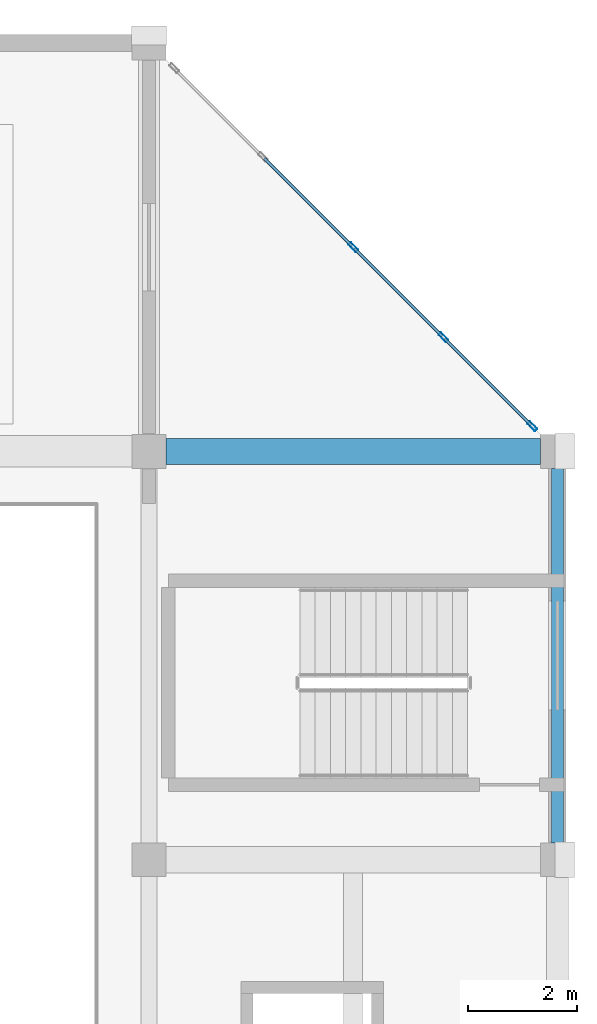
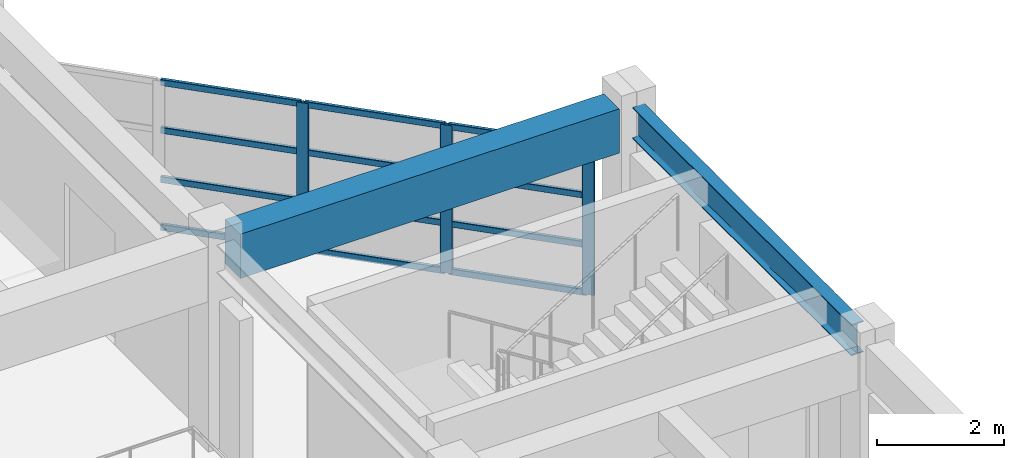
# One storey, part 72 of 132: 15 members, 2 beams, 1 element without a shape of its own.
"""IFC4 building model written with IfcOpenShell, lengths in metres."""

import ifcopenshell
import ifcopenshell.guid

model = None  # the IFC model being written
_history = None  # IfcOwnerHistory: only IFC2X3 demands one
_inside = {}  # id of a spatial element -> (the spatial element, [elements in it])
_under = {}  # id of a project, library or spatial element -> (it, [spatial elements below it])
_declared = {}  # id of a project -> (the project, [libraries it declares])
_typed = {}  # id of a type object -> (the type object, [elements of that type])
_made_of = {}  # id of a material, layer set ... -> (it, [elements and type objects made of it])


def new_model(schema):
    """Start an empty IFC model of exactly this schema.

    Asked for "IFC4X3", IfcOpenShell would pick the latest addendum, in which some entities
    have other attributes; the version numbers below select the first issue.
    IFC2X3 requires an IfcOwnerHistory on every rooted entity: one is made here for all.
    """
    global model, _history
    if schema == "IFC4X3":
        model = ifcopenshell.file(schema_version=(4, 3, 0, 0))
    else:
        model = ifcopenshell.file(schema=schema)
    _inside.clear()
    _under.clear()
    _declared.clear()
    _typed.clear()
    _made_of.clear()
    _history = None
    if model.schema == "IFC2X3":
        org = make("IfcOrganization", Name="unknown")
        user = make(
            "IfcPersonAndOrganization",
            ThePerson=make("IfcPerson", FamilyName="unknown"),
            TheOrganization=org,
        )
        app = make(
            "IfcApplication",
            ApplicationDeveloper=org,
            Version="unknown",
            ApplicationFullName="unknown",
            ApplicationIdentifier="unknown",
        )
        _history = make(
            "IfcOwnerHistory",
            OwningUser=user,
            OwningApplication=app,
            ChangeAction="ADDED",
            CreationDate=0,
        )
    return model


def make(cls, **values):
    """One entity of the class cls with the attributes given. An attribute that is None is left unset."""
    return model.create_entity(
        cls, **{name: value for name, value in values.items() if value is not None}
    )


def rooted(cls, **values):
    """An entity with a GlobalId (a new one), such as an element, a storey or a relation."""
    return make(cls, GlobalId=ifcopenshell.guid.new(), OwnerHistory=_history, **values)


def si_unit(unit_type, name, prefix=None):
    """IfcSIUnit, for example si_unit("LENGTHUNIT", "METRE", prefix="MILLI")."""
    return make("IfcSIUnit", UnitType=unit_type, Prefix=prefix, Name=name)


def assignment(units):
    """IfcUnitAssignment: the units of a project."""
    return None if units is None else make("IfcUnitAssignment", Units=units)


def point(xyz):
    """IfcCartesianPoint."""
    return None if xyz is None else make("IfcCartesianPoint", Coordinates=xyz)


def direction(xyz):
    """IfcDirection."""
    return None if xyz is None else make("IfcDirection", DirectionRatios=xyz)


def frame(location, z_axis=None, x_axis=None):
    """IfcAxis2Placement3D, a coordinate frame: its origin and axes. An axis left out is left unset."""
    return make(
        "IfcAxis2Placement3D",
        Location=point(location),
        Axis=direction(z_axis),
        RefDirection=direction(x_axis),
    )


def frame_2d(location, x_axis=None):
    """IfcAxis2Placement2D, a coordinate frame in the plane: its origin and x axis."""
    return make(
        "IfcAxis2Placement2D", Location=point(location), RefDirection=direction(x_axis)
    )


def origin():
    """The frame at (0, 0, 0) with its axes left unset."""
    return frame((0.0, 0.0, 0.0))


def origin_2d():
    """The frame at (0, 0) in the plane with its x axis left unset."""
    return frame_2d((0.0, 0.0))


def place(relative_to, where):
    """IfcLocalPlacement: puts the frame where relative to a parent placement (None: the world)."""
    return make(
        "IfcLocalPlacement", PlacementRelTo=relative_to, RelativePlacement=where
    )


def context(
    kind, dimensions, precision=None, world=None, true_north=None, identifier=None
):
    """IfcGeometricRepresentationContext, for example the 3D "Model" context."""
    return make(
        "IfcGeometricRepresentationContext",
        ContextIdentifier=identifier,
        ContextType=kind,
        CoordinateSpaceDimension=dimensions,
        Precision=precision,
        WorldCoordinateSystem=world,
        TrueNorth=true_north,
    )


def subcontext(parent, identifier, kind, view, scale=None):
    """IfcGeometricRepresentationSubContext, for example "Body" below "Model"."""
    return make(
        "IfcGeometricRepresentationSubContext",
        ContextIdentifier=identifier,
        ContextType=kind,
        ParentContext=parent,
        TargetScale=scale,
        TargetView=view,
    )


def project(units=None, contexts=None):
    """IfcProject with its units and contexts."""
    return rooted(
        "IfcProject",
        Name="project",
        RepresentationContexts=contexts,
        UnitsInContext=assignment(units),
    )


def spatial(cls, under=None, at=None, **own):
    """A site, building, storey or space (cls), placed at a placement, below another one or the project."""
    s = rooted(cls, ObjectPlacement=at, **own)
    if under is not None:
        _under.setdefault(under.id(), (under, []))[1].append(s)
    return s


def profile(cls, at=None, kind="AREA", **sizes):
    """A parametric profile (cls). Its sizes go by their IFC names, for example OverallWidth=200.0."""
    return make(cls, ProfileType=kind, Position=at, **sizes)


def rectangle(**sizes):
    """IfcRectangleProfileDef."""
    return profile("IfcRectangleProfileDef", **sizes)


def hollow_rectangle(**sizes):
    """IfcRectangleHollowProfileDef."""
    return profile("IfcRectangleHollowProfileDef", **sizes)


def i_section(**sizes):
    """IfcIShapeProfileDef."""
    return profile("IfcIShapeProfileDef", **sizes)


def extrude(swept, where, along, depth):
    """IfcExtrudedAreaSolid: the profile swept, set in the frame where, extruded along a direction by depth."""
    return make(
        "IfcExtrudedAreaSolid",
        SweptArea=swept,
        Position=where,
        ExtrudedDirection=direction(along),
        Depth=depth,
    )


def shape(context_of_items, identifier, shape_type, items):
    """IfcShapeRepresentation: the items that make up one representation, for example the "Body"."""
    return make(
        "IfcShapeRepresentation",
        ContextOfItems=context_of_items,
        RepresentationIdentifier=identifier,
        RepresentationType=shape_type,
        Items=items,
    )


def material(Name=None, Category=None):
    """IfcMaterial."""
    return make("IfcMaterial", Name=Name, Category=Category)


def material_profile(
    of_material, cross_section, Name=None, Category=None, Priority=None
):
    """IfcMaterialProfile: a cross section and its material."""
    return make(
        "IfcMaterialProfile",
        Name=Name,
        Material=of_material,
        Profile=cross_section,
        Priority=Priority,
        Category=Category,
    )


def profile_set(profiles, Name=None, composite=None):
    """IfcMaterialProfileSet."""
    return make(
        "IfcMaterialProfileSet",
        Name=Name,
        MaterialProfiles=profiles,
        CompositeProfile=composite,
    )


def made_of(thing, what):
    """Note that an element or type object is made of a material, layer set ...; save() writes the relation."""
    if what is not None:
        _made_of.setdefault(what.id(), (what, []))[1].append(thing)
    return thing


def type_object(cls, material=None, **own):
    """A type object (cls), such as IfcWallType, which elements share."""
    return made_of(rooted(cls, **own), material)


def element(
    cls,
    number,
    at=None,
    inside=None,
    cuts=None,
    type_object=None,
    material=None,
    context=None,
    identifier="Body",
    shape_type=None,
    held_by="IfcProductDefinitionShape",
    body=None,
    shapes=None,
    **own,
):
    """One element of the class cls, such as IfcWall. Its Tag is "e" and its number.

    at: its placement. inside: the storey or other place that contains it. cuts: it is an
    opening in that element (IfcRelVoidsElement). A single representation is given by context,
    identifier, shape_type and body (its items); several are given by shapes. held_by: the class
    of the entity that holds the representations. save() writes the other relations.
    """
    e = rooted(cls, Tag="e%d" % number, ObjectPlacement=at, **own)
    if body is not None:
        shapes = [shape(context, identifier, shape_type, body)]
    if shapes is not None:
        e.Representation = make(held_by, Representations=shapes)
    if inside is not None:
        _inside.setdefault(inside.id(), (inside, []))[1].append(e)
    if cuts is not None:
        rooted(
            "IfcRelVoidsElement", RelatingBuildingElement=cuts, RelatedOpeningElement=e
        )
    if type_object is not None:
        _typed.setdefault(type_object.id(), (type_object, []))[1].append(e)
    return made_of(e, material)


def aggregate(whole, parts):
    """IfcRelAggregates: a whole, such as a stair, and the parts it consists of."""
    return rooted("IfcRelAggregates", RelatingObject=whole, RelatedObjects=parts)


def save(model, path):
    """Write the relations noted so far, then the file.

    IfcRelAggregates (storeys below a building ...), IfcRelContainedInSpatialStructure (elements
    in a storey), IfcRelDefinesByType, IfcRelAssociatesMaterial and IfcRelDeclares: one each for
    every whole, place, type object, material and project.
    """
    for whole, parts in _under.values():
        aggregate(whole, parts)
    for where, things in _inside.values():
        rooted(
            "IfcRelContainedInSpatialStructure",
            RelatedElements=things,
            RelatingStructure=where,
        )
    for kind, things in _typed.values():
        rooted("IfcRelDefinesByType", RelatedObjects=things, RelatingType=kind)
    for what, things in _made_of.values():
        rooted("IfcRelAssociatesMaterial", RelatedObjects=things, RelatingMaterial=what)
    for by, libraries in _declared.values():
        rooted("IfcRelDeclares", RelatingContext=by, RelatedDefinitions=libraries)
    model.write(path)


model = new_model("IFC4")

# Units and contexts
model_context = context("Model", 3, precision=1e-05, world=origin(), true_north=direction((0.0, 1.0)))
body_context = subcontext(model_context, "Body", "Model", "MODEL_VIEW")
ifc_project = project(units=[si_unit("LENGTHUNIT", "METRE"), si_unit("AREAUNIT", "SQUARE_METRE"), si_unit("VOLUMEUNIT", "CUBIC_METRE"), si_unit("PLANEANGLEUNIT", "RADIAN"), si_unit("MASSUNIT", "GRAM", prefix="KILO")], contexts=[model_context])

# Site, building, storey
site_placement = place(None, origin())
site = spatial("IfcSite", under=ifc_project, at=site_placement, CompositionType="ELEMENT")
building_placement = place(site_placement, origin())
building = spatial("IfcBuilding", under=site, at=building_placement, Name="Qasida Concert Hall", CompositionType="ELEMENT")
storey_placement = place(building_placement, frame((0.0, 0.0, 4.800048828125)))
storey = spatial("IfcBuildingStorey", under=building, at=storey_placement, Name="L01", CompositionType="ELEMENT", Elevation=4.800048828125)

# Beams
ifc_material_1 = material(Name="Concrete C40/50", Category="concrete")
ifc_material_profile_1 = material_profile(ifc_material_1, rectangle(XDim=0.47998046875, YDim=0.85009765625, at=origin_2d()), Name="RC 480x850")
ifc_profile_set_1 = profile_set([ifc_material_profile_1], Name="Concrete C40/50")
beam_type_1 = type_object("IfcBeamType", Name="BM-G6", PredefinedType="USERDEFINED", material=ifc_profile_set_1)
beam_1_placement = place(storey_placement, frame((157.81005859375, 22.5, 3.494873046875), z_axis=(1.0, 0.0, 0.0), x_axis=(0.0, 1.0, 0.0)))
element("IfcBeam", 1, at=beam_1_placement, inside=storey, type_object=beam_type_1, Name="Primary girder 0866", ObjectType="GIRDER", PredefinedType="USERDEFINED", context=body_context, shape_type="SweptSolid", body=[
    extrude(rectangle(XDim=0.47998046875, YDim=0.85009765625, at=origin_2d()), origin(), (0.0, 0.0, 1.0), 6.8798828125),
])
ifc_material_2 = material(Name="Steel S355J2", Category="steel")
ifc_material_profile_2 = material_profile(ifc_material_2, i_section(OverallWidth=0.219970703125, OverallDepth=0.60009765625, WebThickness=0.011962890625, FlangeThickness=0.01904296875, FilletRadius=0.02392578125, at=origin_2d()), Name="IPE 600")
ifc_profile_set_2 = profile_set([ifc_material_profile_2], Name="Steel S355J2")
beam_type_2 = type_object("IfcBeamType", Name="BM-SP3", PredefinedType="SPANDREL", material=ifc_profile_set_2)
beam_2_placement = place(storey_placement, frame((165.0, 15.31005859375, 3.619873046875), z_axis=(0.0, 1.0, 0.0), x_axis=(-1.0, 0.0, 0.0)))
element("IfcBeam", 2, at=beam_2_placement, inside=storey, type_object=beam_type_2, Name="L01 girder 0887", PredefinedType="SPANDREL", context=body_context, shape_type="SweptSolid", body=[
    extrude(i_section(OverallWidth=0.219970703125, OverallDepth=0.60009765625, WebThickness=0.011962890625, FlangeThickness=0.01904296875, FilletRadius=0.02392578125, at=origin_2d()), origin(), (0.0, 0.0, 1.0), 6.8798828125),
])

# Curtain wall, members
ifc_material_3 = material(Name="Architectural bronze-anodized aluminium and low-E glass", Category="aluminium")
curtain_wall_type = type_object("IfcCurtainWallType", Name="CW-07", PredefinedType="NOTDEFINED", material=ifc_material_3)
curtain_wall_placement = place(storey_placement, origin())
curtain_wall = element("IfcCurtainWall", 3, at=curtain_wall_placement, inside=storey, type_object=curtain_wall_type, Name="L01 curtain wall CW-07 0144", PredefinedType="NOTDEFINED")
ifc_material_4 = material(Name="Architectural bronze-anodized aluminium EN AW-6063", Category="aluminium")
ifc_material_profile_3 = material_profile(ifc_material_4, hollow_rectangle(XDim=0.06494140625, YDim=0.199951171875, WallThickness=0.0048828125, InnerFilletRadius=0.0048828125, OuterFilletRadius=0.010009765625, at=origin_2d()), Name="CWM 200x65x5")
ifc_profile_set_3 = profile_set([ifc_material_profile_3], Name="Architectural bronze-anodized aluminium EN AW-6063")
member_type_1 = type_object("IfcMemberType", Name="MB-CWM-2", PredefinedType="MULLION", material=ifc_profile_set_3)
member_1_placement = place(storey_placement, frame((164.53857421875, 22.96142578125, 0.0), z_axis=(0.0, 0.0, 1.0), x_axis=(-0.707106781187, -0.707106781187, 0.0)))
member_1 = element("IfcMember", 4, at=member_1_placement, type_object=member_type_1, Name="CW-07 mullion 1", PredefinedType="MULLION", context=body_context, shape_type="SweptSolid", body=[
    extrude(hollow_rectangle(XDim=0.06494140625, YDim=0.199951171875, WallThickness=0.0048828125, InnerFilletRadius=0.0048828125, OuterFilletRadius=0.010009765625, at=origin_2d()), origin(), (0.0, 0.0, 1.0), 2.83984375),
])
member_2_placement = place(storey_placement, frame((162.90576171875, 24.59423828125, 0.0), z_axis=(0.0, 0.0, 1.0), x_axis=(-0.707106781187, -0.707106781187, 0.0)))
member_2 = element("IfcMember", 5, at=member_2_placement, type_object=member_type_1, Name="CW-07 mullion 2", PredefinedType="MULLION", context=body_context, shape_type="SweptSolid", body=[
    extrude(hollow_rectangle(XDim=0.06494140625, YDim=0.199951171875, WallThickness=0.0048828125, InnerFilletRadius=0.0048828125, OuterFilletRadius=0.010009765625, at=origin_2d()), origin(), (0.0, 0.0, 1.0), 2.83984375),
])
member_3_placement = place(storey_placement, frame((161.25, 26.25, 0.0), z_axis=(0.0, 0.0, 1.0), x_axis=(-0.707106781187, -0.707106781187, 0.0)))
member_3 = element("IfcMember", 6, at=member_3_placement, type_object=member_type_1, Name="CW-07 mullion 3", PredefinedType="MULLION", context=body_context, shape_type="SweptSolid", body=[
    extrude(hollow_rectangle(XDim=0.06494140625, YDim=0.199951171875, WallThickness=0.0048828125, InnerFilletRadius=0.0048828125, OuterFilletRadius=0.010009765625, at=origin_2d()), origin(), (0.0, 0.0, 1.0), 2.83984375),
])
ifc_material_profile_4 = material_profile(ifc_material_4, hollow_rectangle(XDim=0.06005859375, YDim=0.1201171875, WallThickness=0.00390625, InnerFilletRadius=0.00390625, OuterFilletRadius=0.008056640625, at=origin_2d()), Name="CWT 120x60x4")
ifc_profile_set_4 = profile_set([ifc_material_profile_4], Name="Architectural bronze-anodized aluminium EN AW-6063")
member_type_2 = type_object("IfcMemberType", Name="MB-CWT-2", PredefinedType="USERDEFINED", material=ifc_profile_set_4)
member_4_placement = place(storey_placement, frame((164.515625, 22.984375, 0.030029296875), z_axis=(-0.707106781187, 0.707106781187, 0.0), x_axis=(-0.707106781187, -0.707106781187, 0.0)))
member_4 = element("IfcMember", 7, at=member_4_placement, type_object=member_type_2, Name="CW-07 transom 1.1", ObjectType="TRANSOM", PredefinedType="USERDEFINED", context=body_context, shape_type="SweptSolid", body=[
    extrude(hollow_rectangle(XDim=0.06005859375, YDim=0.1201171875, WallThickness=0.00390625, InnerFilletRadius=0.00390625, OuterFilletRadius=0.008056640625, at=origin_2d()), origin(), (0.0, 0.0, 1.0), 2.244140625),
])
member_5_placement = place(storey_placement, frame((164.515625, 22.984375, 0.946533203125), z_axis=(-0.707106781187, 0.707106781187, 0.0), x_axis=(-0.707106781187, -0.707106781187, 0.0)))
member_5 = element("IfcMember", 8, at=member_5_placement, type_object=member_type_2, Name="CW-07 transom 1.2", ObjectType="TRANSOM", PredefinedType="USERDEFINED", context=body_context, shape_type="SweptSolid", body=[
    extrude(hollow_rectangle(XDim=0.06005859375, YDim=0.1201171875, WallThickness=0.00390625, InnerFilletRadius=0.00390625, OuterFilletRadius=0.008056640625, at=origin_2d()), origin(), (0.0, 0.0, 1.0), 2.244140625),
])
member_6_placement = place(storey_placement, frame((164.515625, 22.984375, 1.893310546875), z_axis=(-0.707106781187, 0.707106781187, 0.0), x_axis=(-0.707106781187, -0.707106781187, 0.0)))
member_6 = element("IfcMember", 9, at=member_6_placement, type_object=member_type_2, Name="CW-07 transom 1.3", ObjectType="TRANSOM", PredefinedType="USERDEFINED", context=body_context, shape_type="SweptSolid", body=[
    extrude(hollow_rectangle(XDim=0.06005859375, YDim=0.1201171875, WallThickness=0.00390625, InnerFilletRadius=0.00390625, OuterFilletRadius=0.008056640625, at=origin_2d()), origin(), (0.0, 0.0, 1.0), 2.244140625),
])
member_7_placement = place(storey_placement, frame((164.515625, 22.984375, 2.81005859375), z_axis=(-0.707106781187, 0.707106781187, 0.0), x_axis=(-0.707106781187, -0.707106781187, 0.0)))
member_7 = element("IfcMember", 10, at=member_7_placement, type_object=member_type_2, Name="CW-07 transom 1.4", ObjectType="TRANSOM", PredefinedType="USERDEFINED", context=body_context, shape_type="SweptSolid", body=[
    extrude(hollow_rectangle(XDim=0.06005859375, YDim=0.1201171875, WallThickness=0.00390625, InnerFilletRadius=0.00390625, OuterFilletRadius=0.008056640625, at=origin_2d()), origin(), (0.0, 0.0, 1.0), 2.244140625),
])
member_8_placement = place(storey_placement, frame((162.8828125, 24.6171875, 0.030029296875), z_axis=(-0.707106781187, 0.707106781187, 0.0), x_axis=(-0.707106781187, -0.707106781187, 0.0)))
member_8 = element("IfcMember", 11, at=member_8_placement, type_object=member_type_2, Name="CW-07 transom 2.1", ObjectType="TRANSOM", PredefinedType="USERDEFINED", context=body_context, shape_type="SweptSolid", body=[
    extrude(hollow_rectangle(XDim=0.06005859375, YDim=0.1201171875, WallThickness=0.00390625, InnerFilletRadius=0.00390625, OuterFilletRadius=0.008056640625, at=origin_2d()), origin(), (0.0, 0.0, 1.0), 2.276611328125),
])
member_9_placement = place(storey_placement, frame((162.8828125, 24.6171875, 0.946533203125), z_axis=(-0.707106781187, 0.707106781187, 0.0), x_axis=(-0.707106781187, -0.707106781187, 0.0)))
member_9 = element("IfcMember", 12, at=member_9_placement, type_object=member_type_2, Name="CW-07 transom 2.2", ObjectType="TRANSOM", PredefinedType="USERDEFINED", context=body_context, shape_type="SweptSolid", body=[
    extrude(hollow_rectangle(XDim=0.06005859375, YDim=0.1201171875, WallThickness=0.00390625, InnerFilletRadius=0.00390625, OuterFilletRadius=0.008056640625, at=origin_2d()), origin(), (0.0, 0.0, 1.0), 2.276611328125),
])
member_10_placement = place(storey_placement, frame((162.8828125, 24.6171875, 1.893310546875), z_axis=(-0.707106781187, 0.707106781187, 0.0), x_axis=(-0.707106781187, -0.707106781187, 0.0)))
member_10 = element("IfcMember", 13, at=member_10_placement, type_object=member_type_2, Name="CW-07 transom 2.3", ObjectType="TRANSOM", PredefinedType="USERDEFINED", context=body_context, shape_type="SweptSolid", body=[
    extrude(hollow_rectangle(XDim=0.06005859375, YDim=0.1201171875, WallThickness=0.00390625, InnerFilletRadius=0.00390625, OuterFilletRadius=0.008056640625, at=origin_2d()), origin(), (0.0, 0.0, 1.0), 2.276611328125),
])
member_11_placement = place(storey_placement, frame((162.8828125, 24.6171875, 2.81005859375), z_axis=(-0.707106781187, 0.707106781187, 0.0), x_axis=(-0.707106781187, -0.707106781187, 0.0)))
member_11 = element("IfcMember", 14, at=member_11_placement, type_object=member_type_2, Name="CW-07 transom 2.4", ObjectType="TRANSOM", PredefinedType="USERDEFINED", context=body_context, shape_type="SweptSolid", body=[
    extrude(hollow_rectangle(XDim=0.06005859375, YDim=0.1201171875, WallThickness=0.00390625, InnerFilletRadius=0.00390625, OuterFilletRadius=0.008056640625, at=origin_2d()), origin(), (0.0, 0.0, 1.0), 2.276611328125),
])
member_12_placement = place(storey_placement, frame((161.22705078125, 26.27294921875, 0.030029296875), z_axis=(-0.707106781187, 0.707106781187, 0.0), x_axis=(-0.707106781187, -0.707106781187, 0.0)))
member_12 = element("IfcMember", 15, at=member_12_placement, type_object=member_type_2, Name="CW-07 transom 3.1", ObjectType="TRANSOM", PredefinedType="USERDEFINED", context=body_context, shape_type="SweptSolid", body=[
    extrude(hollow_rectangle(XDim=0.06005859375, YDim=0.1201171875, WallThickness=0.00390625, InnerFilletRadius=0.00390625, OuterFilletRadius=0.008056640625, at=origin_2d()), origin(), (0.0, 0.0, 1.0), 2.276611328125),
])
member_13_placement = place(storey_placement, frame((161.22705078125, 26.27294921875, 0.946533203125), z_axis=(-0.707106781187, 0.707106781187, 0.0), x_axis=(-0.707106781187, -0.707106781187, 0.0)))
member_13 = element("IfcMember", 16, at=member_13_placement, type_object=member_type_2, Name="CW-07 transom 3.2", ObjectType="TRANSOM", PredefinedType="USERDEFINED", context=body_context, shape_type="SweptSolid", body=[
    extrude(hollow_rectangle(XDim=0.06005859375, YDim=0.1201171875, WallThickness=0.00390625, InnerFilletRadius=0.00390625, OuterFilletRadius=0.008056640625, at=origin_2d()), origin(), (0.0, 0.0, 1.0), 2.276611328125),
])
member_14_placement = place(storey_placement, frame((161.22705078125, 26.27294921875, 1.893310546875), z_axis=(-0.707106781187, 0.707106781187, 0.0), x_axis=(-0.707106781187, -0.707106781187, 0.0)))
member_14 = element("IfcMember", 17, at=member_14_placement, type_object=member_type_2, Name="CW-07 transom 3.3", ObjectType="TRANSOM", PredefinedType="USERDEFINED", context=body_context, shape_type="SweptSolid", body=[
    extrude(hollow_rectangle(XDim=0.06005859375, YDim=0.1201171875, WallThickness=0.00390625, InnerFilletRadius=0.00390625, OuterFilletRadius=0.008056640625, at=origin_2d()), origin(), (0.0, 0.0, 1.0), 2.276611328125),
])
member_15_placement = place(storey_placement, frame((161.22705078125, 26.27294921875, 2.81005859375), z_axis=(-0.707106781187, 0.707106781187, 0.0), x_axis=(-0.707106781187, -0.707106781187, 0.0)))
member_15 = element("IfcMember", 18, at=member_15_placement, type_object=member_type_2, Name="CW-07 transom 3.4", ObjectType="TRANSOM", PredefinedType="USERDEFINED", context=body_context, shape_type="SweptSolid", body=[
    extrude(hollow_rectangle(XDim=0.06005859375, YDim=0.1201171875, WallThickness=0.00390625, InnerFilletRadius=0.00390625, OuterFilletRadius=0.008056640625, at=origin_2d()), origin(), (0.0, 0.0, 1.0), 2.276611328125),
])
aggregate(curtain_wall, [member_1, member_2, member_3, member_4, member_5, member_6, member_7, member_8, member_9, member_10, member_11, member_12, member_13, member_14, member_15])

save(model, "model.ifc")
